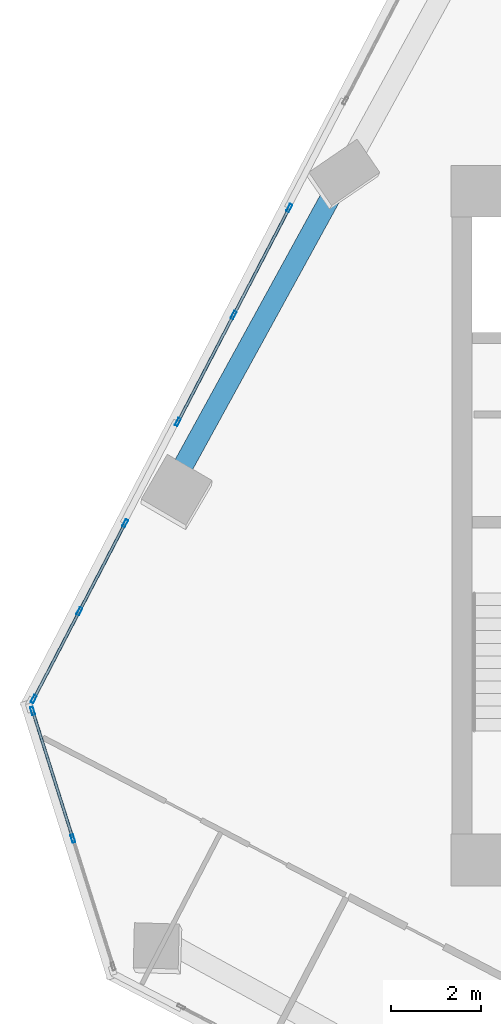
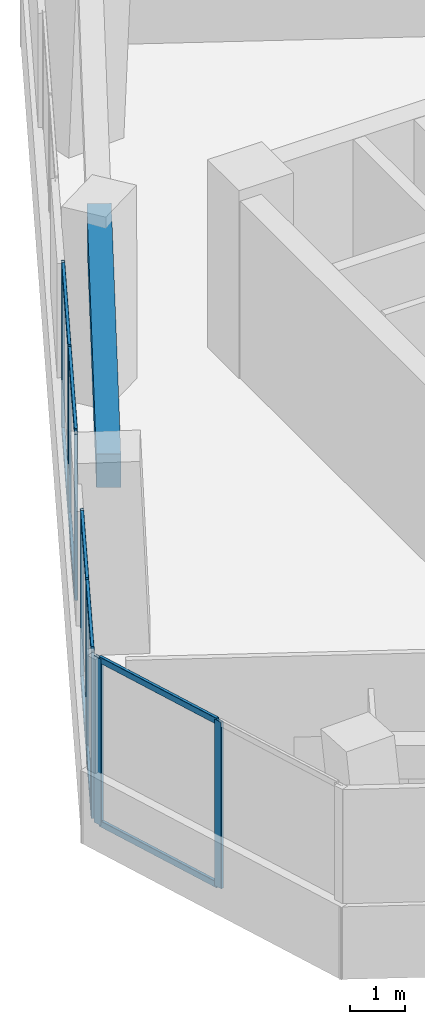
# One storey, part 6 of 22: 18 members, 1 beam, 3 elements without a shape of their own.
"""IFC4 building model written with IfcOpenShell, lengths in metres."""

from ifc_helpers import new_model, si_unit, direction, frame, origin, origin_2d, place, context, subcontext, project, spatial, rectangle, hollow_rectangle, extrude, source, transform, mapped, material, material_profile, profile_set, type_object, element, aggregate, save


model = new_model("IFC4")

# Units and contexts
model_context = context("Model", 3, precision=1e-05, world=origin(), true_north=direction((0.0, 1.0)))
body_context = subcontext(model_context, "Body", "Model", "MODEL_VIEW")
ifc_project = project(units=[si_unit("LENGTHUNIT", "METRE"), si_unit("AREAUNIT", "SQUARE_METRE"), si_unit("VOLUMEUNIT", "CUBIC_METRE"), si_unit("PLANEANGLEUNIT", "RADIAN"), si_unit("MASSUNIT", "GRAM", prefix="KILO")], contexts=[model_context])

# Site, building, storey
site_placement = place(None, origin())
site = spatial("IfcSite", under=ifc_project, at=site_placement, CompositionType="ELEMENT")
building_placement = place(site_placement, origin())
building = spatial("IfcBuilding", under=site, at=building_placement, Name="Torre Montelarca", CompositionType="ELEMENT")
storey_placement = place(building_placement, frame((0.0, 0.0, 170.800048828125)))
storey = spatial("IfcBuildingStorey", under=building, at=storey_placement, Name="L38", CompositionType="ELEMENT", Elevation=170.800048828125)

# Beam
ifc_material_1 = material(Name="Concrete C55/67", Category="concrete")
ifc_material_profile_1 = material_profile(ifc_material_1, rectangle(XDim=0.449951171875, YDim=0.75, at=origin_2d()), Name="RCB450X750", Category="concrete")
ifc_profile_set_1 = profile_set([ifc_material_profile_1], Name="Concrete C55/67")
beam_type = type_object("IfcBeamType", Name="BM-SP-RC750-EXT", PredefinedType="SPANDREL", material=ifc_profile_set_1)
shared_shape_1 = source(origin(), body_context, "Body", "SweptSolid", [
    extrude(rectangle(XDim=0.449951171875, YDim=0.75, at=origin_2d()), origin(), (0.0, 0.0, 1.0), 8.000244140625),
])
beam_placement = place(storey_placement, frame((2.879150390625, 33.0908203125, 3.5849609375), z_axis=(0.481005912865, 0.876717349999, 0.0), x_axis=(-0.876717349999, 0.481005912865, 0.0)))
element("IfcBeam", 1, at=beam_placement, inside=storey, type_object=beam_type, Name="L38 Grid Girder Y 24.0-32.0 at X=4.7", PredefinedType="SPANDREL", context=body_context, shape_type="MappedRepresentation", body=[
    mapped(shared_shape_1, transform((0.0, 0.0, 0.0), scale=1.0)),
])

# Curtain wall, members
ifc_material_2 = material(Name="Insulated low-E laminated glass", Category="glass")
curtain_wall_type = type_object("IfcCurtainWallType", Name="CW-SYS-Z2", PredefinedType="USERDEFINED", material=ifc_material_2)
curtain_wall_1_placement = place(storey_placement, origin())
curtain_wall_1 = element("IfcCurtainWall", 2, at=curtain_wall_1_placement, inside=storey, type_object=curtain_wall_type, Name="L38 Curtain Wall Run CW-T3-L38-E11-B1", ObjectType="UNITISED GLAZING", PredefinedType="USERDEFINED")
ifc_material_3 = material(Name="Anodised aluminium AA 6063-T6", Category="aluminium")
ifc_material_profile_2 = material_profile(ifc_material_3, hollow_rectangle(XDim=0.06494140625, YDim=0.139892578125, WallThickness=0.00390625, InnerFilletRadius=0.00390625, OuterFilletRadius=0.008056640625, at=origin_2d()), Name="ALU65X140X4", Category="aluminium")
ifc_profile_set_2 = profile_set([ifc_material_profile_2], Name="Anodised aluminium AA 6063-T6")
member_type_1 = type_object("IfcMemberType", Name="CWT-ALU140", PredefinedType="USERDEFINED", material=ifc_profile_set_2)
shared_shape_2 = source(origin(), body_context, "Body", "SweptSolid", [
    extrude(hollow_rectangle(XDim=0.06494140625, YDim=0.139892578125, WallThickness=0.00390625, InnerFilletRadius=0.00390625, OuterFilletRadius=0.008056640625, at=origin_2d()), origin(), (0.0, 0.0, 1.0), 2.918701171875),
])
member_1_placement = place(storey_placement, frame((-0.33251953125, 27.83984375, 0.032470703125), z_axis=(0.30062691611, -0.953741819, 0.0), x_axis=(0.953741819, 0.30062691611, 0.0)))
member_1 = element("IfcMember", 3, at=member_1_placement, type_object=member_type_1, Name="CW transom 1.1", ObjectType="TRANSOM", PredefinedType="USERDEFINED", context=body_context, shape_type="MappedRepresentation", body=[
    mapped(shared_shape_2, transform((0.0, 0.0, 0.0), scale=1.0)),
])
member_2_placement = place(storey_placement, frame((-0.33251953125, 27.83984375, 3.6875), z_axis=(0.30062691611, -0.953741819, 0.0), x_axis=(0.953741819, 0.30062691611, 0.0)))
member_2 = element("IfcMember", 4, at=member_2_placement, type_object=member_type_1, Name="CW transom 1.2", ObjectType="TRANSOM", PredefinedType="USERDEFINED", context=body_context, shape_type="MappedRepresentation", body=[
    mapped(shared_shape_2, transform((0.0, 0.0, 0.0), scale=1.0)),
])

curtain_wall_2_placement = place(storey_placement, origin())
curtain_wall_2 = element("IfcCurtainWall", 5, at=curtain_wall_2_placement, inside=storey, type_object=curtain_wall_type, Name="L38 Curtain Wall Run CW-T3-L38-E10-B2", ObjectType="UNITISED GLAZING", PredefinedType="USERDEFINED")
ifc_material_profile_3 = material_profile(ifc_material_3, hollow_rectangle(XDim=0.06494140625, YDim=0.179931640625, WallThickness=0.00390625, InnerFilletRadius=0.00390625, OuterFilletRadius=0.008056640625, at=origin_2d()), Name="ALU65X180X4", Category="aluminium")
ifc_profile_set_3 = profile_set([ifc_material_profile_3], Name="Anodised aluminium AA 6063-T6")
member_type_2 = type_object("IfcMemberType", Name="CWM-ALU180", PredefinedType="MULLION", material=ifc_profile_set_3)
shared_shape_3 = source(origin(), body_context, "Body", "SweptSolid", [
    extrude(hollow_rectangle(XDim=0.06494140625, YDim=0.179931640625, WallThickness=0.00390625, InnerFilletRadius=0.00390625, OuterFilletRadius=0.008056640625, at=origin_2d()), origin(), (0.0, 0.0, 1.0), 3.719970703125),
])
member_3_placement = place(storey_placement, frame((5.37841796875, 39.081787109375, 0.0), z_axis=(0.0, 0.0, 1.0), x_axis=(0.887010458941, -0.461749332138, 0.0)))
member_3 = element("IfcMember", 6, at=member_3_placement, type_object=member_type_2, Name="CW mullion 1", PredefinedType="MULLION", context=body_context, shape_type="MappedRepresentation", body=[
    mapped(shared_shape_3, transform((0.0, 0.0, 0.0), scale=1.0)),
])
member_4_placement = place(storey_placement, frame((4.13623046875, 36.695556640625, 0.0), z_axis=(0.0, 0.0, 1.0), x_axis=(0.887010458941, -0.461749332138, 0.0)))
member_4 = element("IfcMember", 7, at=member_4_placement, type_object=member_type_2, Name="CW mullion 2", PredefinedType="MULLION", context=body_context, shape_type="MappedRepresentation", body=[
    mapped(shared_shape_3, transform((0.0, 0.0, 0.0), scale=1.0)),
])
member_5_placement = place(storey_placement, frame((2.89404296875, 34.30908203125, 0.0), z_axis=(0.0, 0.0, 1.0), x_axis=(0.887010458941, -0.461749332138, 0.0)))
member_5 = element("IfcMember", 8, at=member_5_placement, type_object=member_type_2, Name="CW mullion 3", PredefinedType="MULLION", context=body_context, shape_type="MappedRepresentation", body=[
    mapped(shared_shape_3, transform((0.0, 0.0, 0.0), scale=1.0)),
])

curtain_wall_3_placement = place(storey_placement, origin())
curtain_wall_3 = element("IfcCurtainWall", 9, at=curtain_wall_3_placement, inside=storey, type_object=curtain_wall_type, Name="L38 Curtain Wall Run CW-T3-L38-E10-B3", ObjectType="UNITISED GLAZING", PredefinedType="USERDEFINED")
member_6_placement = place(storey_placement, frame((1.718994140625, 32.05224609375, 0.0), z_axis=(0.0, 0.0, 1.0), x_axis=(0.887016772008, -0.46173720467, 0.0)))
member_6 = element("IfcMember", 10, at=member_6_placement, type_object=member_type_2, Name="CW mullion 1", PredefinedType="MULLION", context=body_context, shape_type="MappedRepresentation", body=[
    mapped(shared_shape_3, transform((0.0, 0.0, 0.0), scale=1.0)),
])
member_7_placement = place(storey_placement, frame((0.699951171875, 30.094482421875, 0.0), z_axis=(0.0, 0.0, 1.0), x_axis=(0.887016772008, -0.46173720467, 0.0)))
member_7 = element("IfcMember", 11, at=member_7_placement, type_object=member_type_2, Name="CW mullion 2", PredefinedType="MULLION", context=body_context, shape_type="MappedRepresentation", body=[
    mapped(shared_shape_3, transform((0.0, 0.0, 0.0), scale=1.0)),
])
member_8_placement = place(storey_placement, frame((-0.319091796875, 28.13671875, 0.0), z_axis=(0.0, 0.0, 1.0), x_axis=(0.887016772008, -0.46173720467, 0.0)))
member_8 = element("IfcMember", 12, at=member_8_placement, type_object=member_type_2, Name="CW mullion 3", PredefinedType="MULLION", context=body_context, shape_type="MappedRepresentation", body=[
    mapped(shared_shape_3, transform((0.0, 0.0, 0.0), scale=1.0)),
])

# Member
member_9_placement = place(storey_placement, frame((-0.34228515625, 27.870849609375, 0.0), z_axis=(0.0, 0.0, 1.0), x_axis=(0.953723866137, 0.300683865815, 0.0)))
member_9 = element("IfcMember", 13, at=member_9_placement, type_object=member_type_2, Name="CW mullion 1", PredefinedType="MULLION", context=body_context, shape_type="MappedRepresentation", body=[
    mapped(shared_shape_3, transform((0.0, 0.0, 0.0), scale=1.0)),
])

member_10_placement = place(storey_placement, frame((0.5546875, 25.025146484375, 0.0), z_axis=(0.0, 0.0, 1.0), x_axis=(0.953723866137, 0.300683865815, 0.0)))
member_10 = element("IfcMember", 14, at=member_10_placement, type_object=member_type_2, Name="CW mullion 2", PredefinedType="MULLION", context=body_context, shape_type="MappedRepresentation", body=[
    mapped(shared_shape_3, transform((0.0, 0.0, 0.0), scale=1.0)),
])

aggregate(curtain_wall_1, [member_9, member_10, member_1, member_2])

shared_shape_4 = source(origin(), body_context, "Body", "SweptSolid", [
    extrude(hollow_rectangle(XDim=0.06494140625, YDim=0.139892578125, WallThickness=0.00390625, InnerFilletRadius=0.00390625, OuterFilletRadius=0.008056640625, at=origin_2d()), origin(), (0.0, 0.0, 1.0), 2.14208984375),
])
member_11_placement = place(storey_placement, frame((1.7041015625, 32.0234375, 0.032470703125), z_axis=(-0.461697199095, -0.887037595792, 0.0), x_axis=(0.887037595792, -0.461697199095, 0.0)))
member_11 = element("IfcMember", 15, at=member_11_placement, type_object=member_type_1, Name="CW transom 1.1", ObjectType="TRANSOM", PredefinedType="USERDEFINED", context=body_context, shape_type="MappedRepresentation", body=[
    mapped(shared_shape_4, transform((0.0, 0.0, 0.0), scale=1.0)),
])

member_12_placement = place(storey_placement, frame((1.7041015625, 32.0234375, 3.6875), z_axis=(-0.461697199095, -0.887037595792, 0.0), x_axis=(0.887037595792, -0.461697199095, 0.0)))
member_12 = element("IfcMember", 16, at=member_12_placement, type_object=member_type_1, Name="CW transom 1.2", ObjectType="TRANSOM", PredefinedType="USERDEFINED", context=body_context, shape_type="MappedRepresentation", body=[
    mapped(shared_shape_4, transform((0.0, 0.0, 0.0), scale=1.0)),
])

shared_shape_5 = source(origin(), body_context, "Body", "SweptSolid", [
    extrude(hollow_rectangle(XDim=0.06494140625, YDim=0.139892578125, WallThickness=0.00390625, InnerFilletRadius=0.00390625, OuterFilletRadius=0.008056640625, at=origin_2d()), origin(), (0.0, 0.0, 1.0), 2.142333984375),
])
member_13_placement = place(storey_placement, frame((0.68505859375, 30.065673828125, 0.032470703125), z_axis=(-0.461786868599, -0.886990917648, 0.0), x_axis=(0.886990917648, -0.461786868599, 0.0)))
member_13 = element("IfcMember", 17, at=member_13_placement, type_object=member_type_1, Name="CW transom 2.1", ObjectType="TRANSOM", PredefinedType="USERDEFINED", context=body_context, shape_type="MappedRepresentation", body=[
    mapped(shared_shape_5, transform((0.0, 0.0, 0.0), scale=1.0)),
])

member_14_placement = place(storey_placement, frame((0.68505859375, 30.065673828125, 3.6875), z_axis=(-0.461786868599, -0.886990917648, 0.0), x_axis=(0.886990917648, -0.461786868599, 0.0)))
member_14 = element("IfcMember", 18, at=member_14_placement, type_object=member_type_1, Name="CW transom 2.2", ObjectType="TRANSOM", PredefinedType="USERDEFINED", context=body_context, shape_type="MappedRepresentation", body=[
    mapped(shared_shape_5, transform((0.0, 0.0, 0.0), scale=1.0)),
])

aggregate(curtain_wall_3, [member_6, member_7, member_8, member_11, member_12, member_13, member_14])

shared_shape_6 = source(origin(), body_context, "Body", "SweptSolid", [
    extrude(hollow_rectangle(XDim=0.06494140625, YDim=0.139892578125, WallThickness=0.00390625, InnerFilletRadius=0.00390625, OuterFilletRadius=0.008056640625, at=origin_2d()), origin(), (0.0, 0.0, 1.0), 2.625244140625),
])
member_15_placement = place(storey_placement, frame((5.363525390625, 39.052978515625, 0.032470703125), z_axis=(-0.461736281998, -0.887017252305, 0.0), x_axis=(0.887017252305, -0.461736281998, 0.0)))
member_15 = element("IfcMember", 19, at=member_15_placement, type_object=member_type_1, Name="CW transom 1.1", ObjectType="TRANSOM", PredefinedType="USERDEFINED", context=body_context, shape_type="MappedRepresentation", body=[
    mapped(shared_shape_6, transform((0.0, 0.0, 0.0), scale=1.0)),
])

member_16_placement = place(storey_placement, frame((5.363525390625, 39.052978515625, 3.6875), z_axis=(-0.461736281998, -0.887017252305, 0.0), x_axis=(0.887017252305, -0.461736281998, 0.0)))
member_16 = element("IfcMember", 20, at=member_16_placement, type_object=member_type_1, Name="CW transom 1.2", ObjectType="TRANSOM", PredefinedType="USERDEFINED", context=body_context, shape_type="MappedRepresentation", body=[
    mapped(shared_shape_6, transform((0.0, 0.0, 0.0), scale=1.0)),
])

member_17_placement = place(storey_placement, frame((4.121337890625, 36.66650390625, 0.032470703125), z_axis=(-0.461809448267, -0.886979161814, 0.0), x_axis=(0.886979161814, -0.461809448267, 0.0)))
member_17 = element("IfcMember", 21, at=member_17_placement, type_object=member_type_1, Name="CW transom 2.1", ObjectType="TRANSOM", PredefinedType="USERDEFINED", context=body_context, shape_type="MappedRepresentation", body=[
    mapped(shared_shape_6, transform((0.0, 0.0, 0.0), scale=1.0)),
])

member_18_placement = place(storey_placement, frame((4.121337890625, 36.66650390625, 3.6875), z_axis=(-0.461809448267, -0.886979161814, 0.0), x_axis=(0.886979161814, -0.461809448267, 0.0)))
member_18 = element("IfcMember", 22, at=member_18_placement, type_object=member_type_1, Name="CW transom 2.2", ObjectType="TRANSOM", PredefinedType="USERDEFINED", context=body_context, shape_type="MappedRepresentation", body=[
    mapped(shared_shape_6, transform((0.0, 0.0, 0.0), scale=1.0)),
])

aggregate(curtain_wall_2, [member_3, member_4, member_5, member_15, member_16, member_17, member_18])

save(model, "model.ifc")
